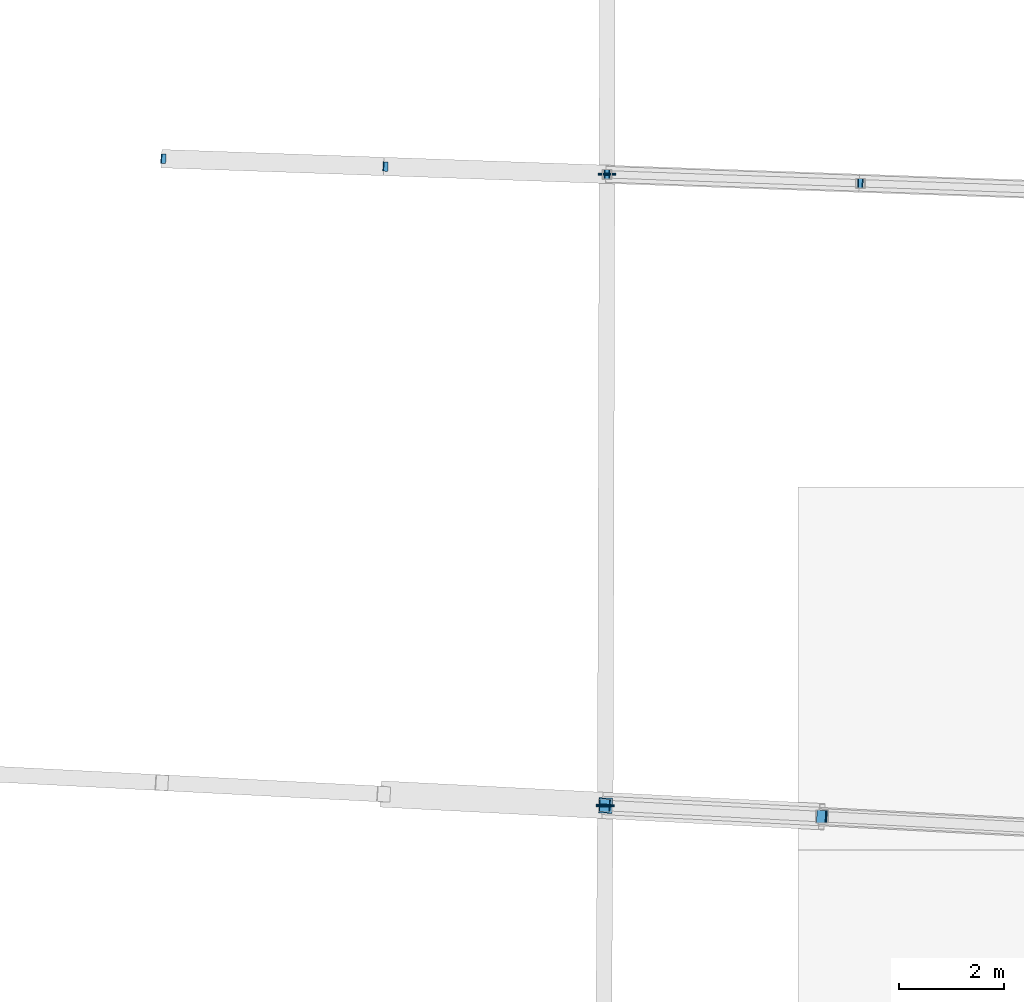
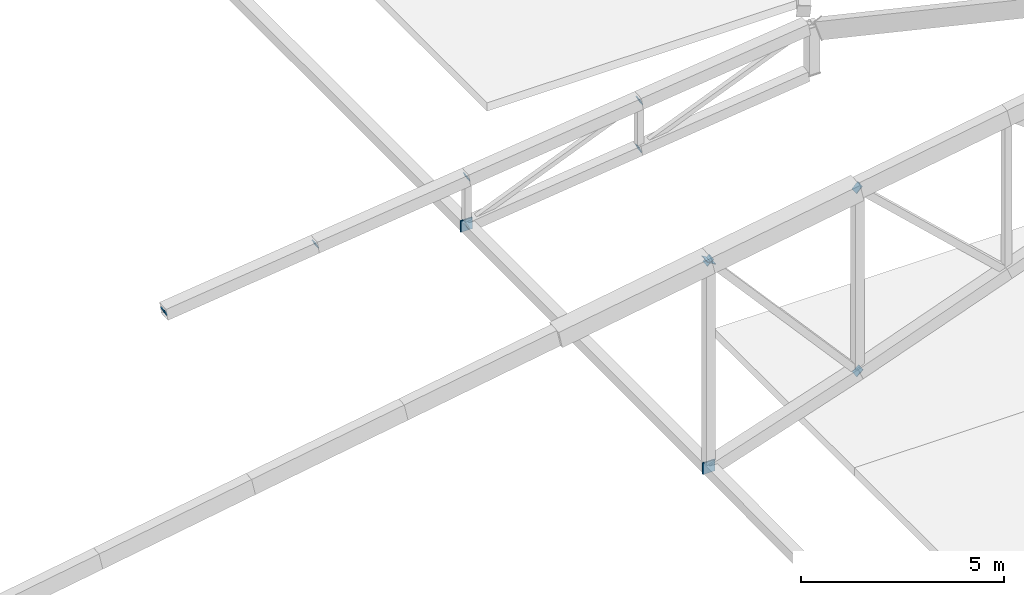
# One storey, part 151 of 188: 14 discrete accessories.
"""IFC4 building model written with IfcOpenShell, lengths in metres."""

import ifcopenshell
import ifcopenshell.guid

model = None  # the IFC model being written
_history = None  # IfcOwnerHistory: only IFC2X3 demands one
_inside = {}  # id of a spatial element -> (the spatial element, [elements in it])
_under = {}  # id of a project, library or spatial element -> (it, [spatial elements below it])
_declared = {}  # id of a project -> (the project, [libraries it declares])
_typed = {}  # id of a type object -> (the type object, [elements of that type])
_made_of = {}  # id of a material, layer set ... -> (it, [elements and type objects made of it])


def new_model(schema):
    """Start an empty IFC model of exactly this schema.

    Asked for "IFC4X3", IfcOpenShell would pick the latest addendum, in which some entities
    have other attributes; the version numbers below select the first issue.
    IFC2X3 requires an IfcOwnerHistory on every rooted entity: one is made here for all.
    """
    global model, _history
    if schema == "IFC4X3":
        model = ifcopenshell.file(schema_version=(4, 3, 0, 0))
    else:
        model = ifcopenshell.file(schema=schema)
    _inside.clear()
    _under.clear()
    _declared.clear()
    _typed.clear()
    _made_of.clear()
    _history = None
    if model.schema == "IFC2X3":
        org = make("IfcOrganization", Name="unknown")
        user = make(
            "IfcPersonAndOrganization",
            ThePerson=make("IfcPerson", FamilyName="unknown"),
            TheOrganization=org,
        )
        app = make(
            "IfcApplication",
            ApplicationDeveloper=org,
            Version="unknown",
            ApplicationFullName="unknown",
            ApplicationIdentifier="unknown",
        )
        _history = make(
            "IfcOwnerHistory",
            OwningUser=user,
            OwningApplication=app,
            ChangeAction="ADDED",
            CreationDate=0,
        )
    return model


def make(cls, **values):
    """One entity of the class cls with the attributes given. An attribute that is None is left unset."""
    return model.create_entity(
        cls, **{name: value for name, value in values.items() if value is not None}
    )


def rooted(cls, **values):
    """An entity with a GlobalId (a new one), such as an element, a storey or a relation."""
    return make(cls, GlobalId=ifcopenshell.guid.new(), OwnerHistory=_history, **values)


def si_unit(unit_type, name, prefix=None):
    """IfcSIUnit, for example si_unit("LENGTHUNIT", "METRE", prefix="MILLI")."""
    return make("IfcSIUnit", UnitType=unit_type, Prefix=prefix, Name=name)


def assignment(units):
    """IfcUnitAssignment: the units of a project."""
    return None if units is None else make("IfcUnitAssignment", Units=units)


def point(xyz):
    """IfcCartesianPoint."""
    return None if xyz is None else make("IfcCartesianPoint", Coordinates=xyz)


def direction(xyz):
    """IfcDirection."""
    return None if xyz is None else make("IfcDirection", DirectionRatios=xyz)


def frame(location, z_axis=None, x_axis=None):
    """IfcAxis2Placement3D, a coordinate frame: its origin and axes. An axis left out is left unset."""
    return make(
        "IfcAxis2Placement3D",
        Location=point(location),
        Axis=direction(z_axis),
        RefDirection=direction(x_axis),
    )


def frame_2d(location, x_axis=None):
    """IfcAxis2Placement2D, a coordinate frame in the plane: its origin and x axis."""
    return make(
        "IfcAxis2Placement2D", Location=point(location), RefDirection=direction(x_axis)
    )


def origin():
    """The frame at (0, 0, 0) with its axes left unset."""
    return frame((0.0, 0.0, 0.0))


def origin_2d():
    """The frame at (0, 0) in the plane with its x axis left unset."""
    return frame_2d((0.0, 0.0))


def place(relative_to, where):
    """IfcLocalPlacement: puts the frame where relative to a parent placement (None: the world)."""
    return make(
        "IfcLocalPlacement", PlacementRelTo=relative_to, RelativePlacement=where
    )


def context(
    kind, dimensions, precision=None, world=None, true_north=None, identifier=None
):
    """IfcGeometricRepresentationContext, for example the 3D "Model" context."""
    return make(
        "IfcGeometricRepresentationContext",
        ContextIdentifier=identifier,
        ContextType=kind,
        CoordinateSpaceDimension=dimensions,
        Precision=precision,
        WorldCoordinateSystem=world,
        TrueNorth=true_north,
    )


def subcontext(parent, identifier, kind, view, scale=None):
    """IfcGeometricRepresentationSubContext, for example "Body" below "Model"."""
    return make(
        "IfcGeometricRepresentationSubContext",
        ContextIdentifier=identifier,
        ContextType=kind,
        ParentContext=parent,
        TargetScale=scale,
        TargetView=view,
    )


def project(units=None, contexts=None):
    """IfcProject with its units and contexts."""
    return rooted(
        "IfcProject",
        Name="project",
        RepresentationContexts=contexts,
        UnitsInContext=assignment(units),
    )


def spatial(cls, under=None, at=None, **own):
    """A site, building, storey or space (cls), placed at a placement, below another one or the project."""
    s = rooted(cls, ObjectPlacement=at, **own)
    if under is not None:
        _under.setdefault(under.id(), (under, []))[1].append(s)
    return s


def profile(cls, at=None, kind="AREA", **sizes):
    """A parametric profile (cls). Its sizes go by their IFC names, for example OverallWidth=200.0."""
    return make(cls, ProfileType=kind, Position=at, **sizes)


def rectangle(**sizes):
    """IfcRectangleProfileDef."""
    return profile("IfcRectangleProfileDef", **sizes)


def extrude(swept, where, along, depth):
    """IfcExtrudedAreaSolid: the profile swept, set in the frame where, extruded along a direction by depth."""
    return make(
        "IfcExtrudedAreaSolid",
        SweptArea=swept,
        Position=where,
        ExtrudedDirection=direction(along),
        Depth=depth,
    )


def shape(context_of_items, identifier, shape_type, items):
    """IfcShapeRepresentation: the items that make up one representation, for example the "Body"."""
    return make(
        "IfcShapeRepresentation",
        ContextOfItems=context_of_items,
        RepresentationIdentifier=identifier,
        RepresentationType=shape_type,
        Items=items,
    )


def material(Name=None, Category=None):
    """IfcMaterial."""
    return make("IfcMaterial", Name=Name, Category=Category)


def material_profile(
    of_material, cross_section, Name=None, Category=None, Priority=None
):
    """IfcMaterialProfile: a cross section and its material."""
    return make(
        "IfcMaterialProfile",
        Name=Name,
        Material=of_material,
        Profile=cross_section,
        Priority=Priority,
        Category=Category,
    )


def profile_set(profiles, Name=None, composite=None):
    """IfcMaterialProfileSet."""
    return make(
        "IfcMaterialProfileSet",
        Name=Name,
        MaterialProfiles=profiles,
        CompositeProfile=composite,
    )


def made_of(thing, what):
    """Note that an element or type object is made of a material, layer set ...; save() writes the relation."""
    if what is not None:
        _made_of.setdefault(what.id(), (what, []))[1].append(thing)
    return thing


def type_object(cls, material=None, **own):
    """A type object (cls), such as IfcWallType, which elements share."""
    return made_of(rooted(cls, **own), material)


def element(
    cls,
    number,
    at=None,
    inside=None,
    cuts=None,
    type_object=None,
    material=None,
    context=None,
    identifier="Body",
    shape_type=None,
    held_by="IfcProductDefinitionShape",
    body=None,
    shapes=None,
    **own,
):
    """One element of the class cls, such as IfcWall. Its Tag is "e" and its number.

    at: its placement. inside: the storey or other place that contains it. cuts: it is an
    opening in that element (IfcRelVoidsElement). A single representation is given by context,
    identifier, shape_type and body (its items); several are given by shapes. held_by: the class
    of the entity that holds the representations. save() writes the other relations.
    """
    e = rooted(cls, Tag="e%d" % number, ObjectPlacement=at, **own)
    if body is not None:
        shapes = [shape(context, identifier, shape_type, body)]
    if shapes is not None:
        e.Representation = make(held_by, Representations=shapes)
    if inside is not None:
        _inside.setdefault(inside.id(), (inside, []))[1].append(e)
    if cuts is not None:
        rooted(
            "IfcRelVoidsElement", RelatingBuildingElement=cuts, RelatedOpeningElement=e
        )
    if type_object is not None:
        _typed.setdefault(type_object.id(), (type_object, []))[1].append(e)
    return made_of(e, material)


def aggregate(whole, parts):
    """IfcRelAggregates: a whole, such as a stair, and the parts it consists of."""
    return rooted("IfcRelAggregates", RelatingObject=whole, RelatedObjects=parts)


def save(model, path):
    """Write the relations noted so far, then the file.

    IfcRelAggregates (storeys below a building ...), IfcRelContainedInSpatialStructure (elements
    in a storey), IfcRelDefinesByType, IfcRelAssociatesMaterial and IfcRelDeclares: one each for
    every whole, place, type object, material and project.
    """
    for whole, parts in _under.values():
        aggregate(whole, parts)
    for where, things in _inside.values():
        rooted(
            "IfcRelContainedInSpatialStructure",
            RelatedElements=things,
            RelatingStructure=where,
        )
    for kind, things in _typed.values():
        rooted("IfcRelDefinesByType", RelatedObjects=things, RelatingType=kind)
    for what, things in _made_of.values():
        rooted("IfcRelAssociatesMaterial", RelatedObjects=things, RelatingMaterial=what)
    for by, libraries in _declared.values():
        rooted("IfcRelDeclares", RelatingContext=by, RelatedDefinitions=libraries)
    model.write(path)


model = new_model("IFC4")

# Units and contexts
model_context = context("Model", 3, precision=1e-05, world=origin(), true_north=direction((0.0, 1.0)))
body_context = subcontext(model_context, "Body", "Model", "MODEL_VIEW")
ifc_project = project(units=[si_unit("LENGTHUNIT", "METRE"), si_unit("AREAUNIT", "SQUARE_METRE"), si_unit("VOLUMEUNIT", "CUBIC_METRE"), si_unit("PLANEANGLEUNIT", "RADIAN"), si_unit("MASSUNIT", "GRAM", prefix="KILO")], contexts=[model_context])

# Site, building, storey
site_placement = place(None, origin())
site = spatial("IfcSite", under=ifc_project, at=site_placement, CompositionType="ELEMENT")
building_placement = place(site_placement, origin())
building = spatial("IfcBuilding", under=site, at=building_placement, Name="Meseta Stadium", CompositionType="ELEMENT")
storey_placement = place(building_placement, frame((0.0, 0.0, 30.0)))
storey = spatial("IfcBuildingStorey", under=building, at=storey_placement, Name="ROOF", CompositionType="ELEMENT", Elevation=30.0)

# Discrete accessories
ifc_material_1 = material(Name="Steel S355", Category="steel")
ifc_material_profile_1 = material_profile(ifc_material_1, rectangle(XDim=0.179931640625, YDim=0.179931640625, at=origin_2d()), Name="PL 180x180")
ifc_profile_set_1 = profile_set([ifc_material_profile_1], Name="Steel S355")
discrete_accessory_type_1 = type_object("IfcDiscreteAccessoryType", Name="End plate 180x180x20", PredefinedType="ANCHORPLATE", material=ifc_profile_set_1)
discrete_accessory_1_placement = place(storey_placement, frame((76.533935546875, -18.11328125, 0.9619140625), z_axis=(0.896262295257, -0.036832697065, 0.441992364784), x_axis=(0.041061231452, 0.999156632001, 0.0)))
element("IfcDiscreteAccessory", 1, at=discrete_accessory_1_placement, inside=storey, type_object=discrete_accessory_type_1, Name="End plate of ROOF TRUSS RT-03 diagonal", PredefinedType="ANCHORPLATE", context=body_context, shape_type="SweptSolid", body=[
    extrude(rectangle(XDim=0.179931640625, YDim=0.179931640625, at=origin_2d()), origin(), (0.0, 0.0, 1.0), 0.019775390625),
])
discrete_accessory_2_placement = place(storey_placement, frame((80.75341796875, -18.261962890625, 1.594970703125), z_axis=(0.898638141175, -0.036431275994, 0.437175311923), x_axis=(0.040507266643, 0.999179243854, 0.0)))
element("IfcDiscreteAccessory", 2, at=discrete_accessory_2_placement, inside=storey, type_object=discrete_accessory_type_1, Name="End plate of ROOF TRUSS RT-03 diagonal", PredefinedType="ANCHORPLATE", context=body_context, shape_type="SweptSolid", body=[
    extrude(rectangle(XDim=0.179931640625, YDim=0.179931640625, at=origin_2d()), origin(), (0.0, 0.0, 1.0), 0.02001953125),
])
discrete_accessory_3_placement = place(storey_placement, frame((84.97314453125, -18.41064453125, 2.22802734375), z_axis=(0.896262295257, -0.036832697065, 0.441992364784), x_axis=(0.041061231452, 0.999156632001, 0.0)))
element("IfcDiscreteAccessory", 3, at=discrete_accessory_3_placement, inside=storey, type_object=discrete_accessory_type_1, Name="End plate of ROOF TRUSS RT-03 diagonal", PredefinedType="ANCHORPLATE", context=body_context, shape_type="SweptSolid", body=[
    extrude(rectangle(XDim=0.179931640625, YDim=0.179931640625, at=origin_2d()), origin(), (0.0, 0.0, 1.0), 0.019775390625),
])
discrete_accessory_4_placement = place(storey_placement, frame((84.954833984375, -18.41015625, 0.791748046875), z_axis=(0.910513391019, -0.024280357094, 0.412766070595), x_axis=(0.026657190239, 0.999644633962, 0.0)))
element("IfcDiscreteAccessory", 4, at=discrete_accessory_4_placement, inside=storey, type_object=discrete_accessory_type_1, Name="End plate of ROOF TRUSS RT-03 diagonal", PredefinedType="ANCHORPLATE", context=body_context, shape_type="SweptSolid", body=[
    extrude(rectangle(XDim=0.179931640625, YDim=0.179931640625, at=origin_2d()), origin(), (0.0, 0.0, 1.0), 0.02001953125),
])
discrete_accessory_5_placement = place(storey_placement, frame((89.78662109375, -18.580322265625, 2.9501953125), z_axis=(0.90806090779, -0.036813280046, 0.41721717385), x_axis=(0.040507266643, 0.999179243854, 0.0)))
element("IfcDiscreteAccessory", 5, at=discrete_accessory_5_placement, inside=storey, type_object=discrete_accessory_type_1, Name="End plate of ROOF TRUSS RT-03 diagonal", PredefinedType="ANCHORPLATE", context=body_context, shape_type="SweptSolid", body=[
    extrude(rectangle(XDim=0.179931640625, YDim=0.179931640625, at=origin_2d()), origin(), (0.0, 0.0, 1.0), 0.019775390625),
])
discrete_accessory_6_placement = place(storey_placement, frame((89.768310546875, -18.57958984375, 1.51416015625), z_axis=(0.914702166581, -0.036588086663, 0.402468953296), x_axis=(0.039968038349, 0.999200958722, 0.0)))
element("IfcDiscreteAccessory", 6, at=discrete_accessory_6_placement, inside=storey, type_object=discrete_accessory_type_1, Name="End plate of ROOF TRUSS RT-03 diagonal", PredefinedType="ANCHORPLATE", context=body_context, shape_type="SweptSolid", body=[
    extrude(rectangle(XDim=0.179931640625, YDim=0.179931640625, at=origin_2d()), origin(), (0.0, 0.0, 1.0), 0.02001953125),
])
ifc_material_2 = material(Name="Steel S355", Category="steel")
ifc_material_profile_2 = material_profile(ifc_material_2, rectangle(XDim=0.239990234375, YDim=0.239990234375, at=origin_2d()), Name="PL 240x240")
ifc_profile_set_2 = profile_set([ifc_material_profile_2], Name="Steel S355")
discrete_accessory_type_2 = type_object("IfcDiscreteAccessoryType", Name="End plate 240x240x20", PredefinedType="ANCHORPLATE", material=ifc_profile_set_2)
for number, where, z_axis, x_axis, name in (
    (7, (84.927490234375, -30.4033203125, 7.017333984375), (0.662389731567, -0.036799429531, -0.74825506714), (0.055470019623, 0.998460353205, 0.0), "End plate of ROOF TRUSS RT-02 diagonal"),
    (8, (89.055419921875, -30.615478515625, 2.376953125), (0.669190878802, -0.036501320662, -0.742193520126), (0.05446449316, 0.998515707931, 0.0), "End plate of ROOF TRUSS RT-02 diagonal"),
    (9, (89.040771484375, -30.61474609375, 7.890625), (0.730567373975, -0.036528368699, -0.681862882377), (0.049937616944, 0.998752338878, 0.0), "End plate of ROOF TRUSS RT-02 diagonal"),
):
    element("IfcDiscreteAccessory", number, at=place(storey_placement, frame(where, z_axis=z_axis, x_axis=x_axis)), inside=storey, type_object=discrete_accessory_type_2, Name=name, PredefinedType="ANCHORPLATE", context=body_context, shape_type="SweptSolid", body=[
        extrude(rectangle(XDim=0.239990234375, YDim=0.239990234375, at=origin_2d()), origin(), (0.0, 0.0, 1.0), 0.02001953125),
    ])
ifc_material_3 = material(Name="Steel S355", Category="steel")
ifc_material_profile_3 = material_profile(ifc_material_3, rectangle(XDim=0.2900390625, YDim=0.2900390625, at=origin_2d()), Name="PL 290x290")
ifc_profile_set_3 = profile_set([ifc_material_profile_3], Name="Steel S355")
discrete_accessory_type_3 = type_object("IfcDiscreteAccessoryType", Name="End plate 290x290x20", PredefinedType="ANCHORPLATE", material=ifc_profile_set_3)
discrete_accessory_7_placement = place(storey_placement, frame((84.940673828125, -30.404052734375, 7.00244140625), z_axis=(0.537505444318, -0.024432065651, 0.842906264953), x_axis=(0.045407660919, 0.99896854021, 0.0)))
element("IfcDiscreteAccessory", 10, at=discrete_accessory_7_placement, inside=storey, type_object=discrete_accessory_type_3, Name="End plate of ROOF TRUSS RT-02 diagonal", PredefinedType="ANCHORPLATE", context=body_context, shape_type="SweptSolid", body=[
    extrude(rectangle(XDim=0.2900390625, YDim=0.2900390625, at=origin_2d()), origin(), (0.0, 0.0, 1.0), 0.02001953125),
])
ifc_material_4 = material(Name="Steel S355", Category="steel")
ifc_material_profile_4 = material_profile(ifc_material_4, rectangle(XDim=0.340087890625, YDim=0.340087890625, at=origin_2d()), Name="PL 340x340")
ifc_profile_set_4 = profile_set([ifc_material_profile_4], Name="Steel S355")
discrete_accessory_type_4 = type_object("IfcDiscreteAccessoryType", Name="End plate 340x340x20", PredefinedType="ANCHORPLATE", material=ifc_profile_set_4)
for number, where, z_axis, x_axis, name in (
    (11, (84.940673828125, -30.404052734375, 0.800048828125), (0.012194215217, 0.999925647793, 0.0), (-0.999925647793, 0.012194215217, 0.0), "End plate of ROOF PIVOT STRUT RT-01/02"),
    (12, (84.940673828125, -30.424072265625, 0.800048828125), (0.0, 1.0, 0.0), (-1.0, 0.0, 0.0), "End plate of ROOF PIVOT STRUT RT-02/03"),
    (13, (84.97314453125, -18.41064453125, 0.800048828125), (0.0, 1.0, 0.0), (-1.0, 0.0, 0.0), "End plate of ROOF PIVOT STRUT RT-02/03"),
    (14, (84.97314453125, -18.4306640625, 0.800048828125), (0.0, 1.0, 0.0), (-1.0, 0.0, 0.0), "End plate of ROOF PIVOT STRUT RT-03/04"),
):
    element("IfcDiscreteAccessory", number, at=place(storey_placement, frame(where, z_axis=z_axis, x_axis=x_axis)), inside=storey, type_object=discrete_accessory_type_4, Name=name, PredefinedType="ANCHORPLATE", context=body_context, shape_type="SweptSolid", body=[
        extrude(rectangle(XDim=0.340087890625, YDim=0.340087890625, at=origin_2d()), origin(), (0.0, 0.0, 1.0), 0.02001953125),
    ])

save(model, "model.ifc")
